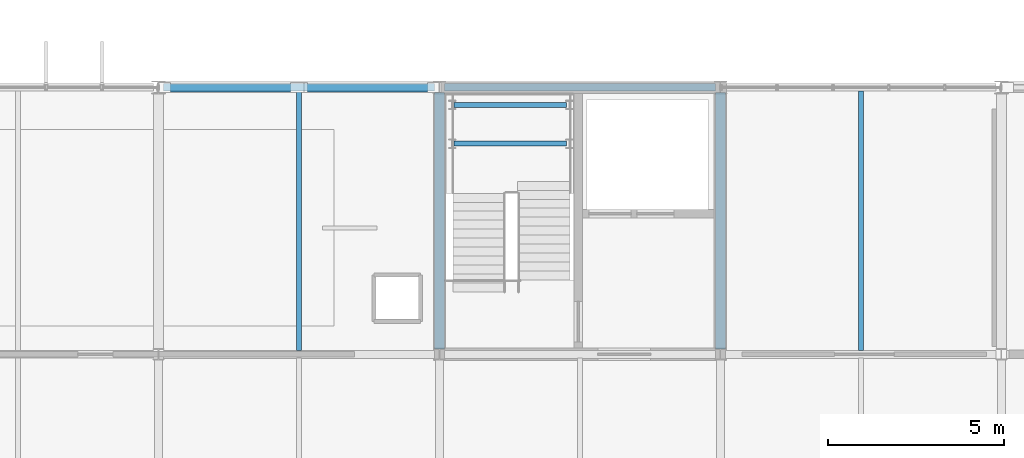
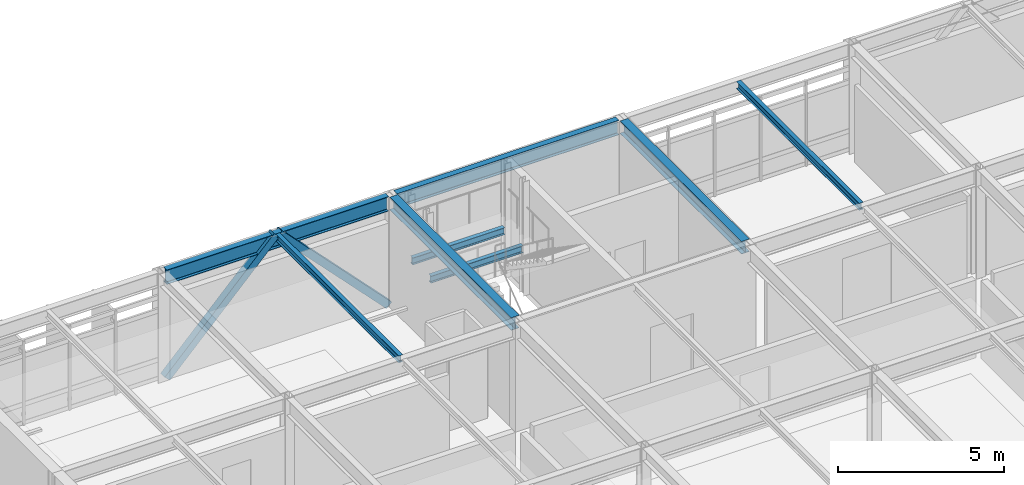
# One storey, part 25 of 85: 8 beams, 2 members.
"""IFC4 building model written with IfcOpenShell, lengths in metres."""

from ifc_helpers import new_model, si_unit, direction, frame, origin, origin_2d, place, context, subcontext, project, spatial, hollow_rectangle, i_section, extrude, material, material_profile, profile_set, type_object, element, save


model = new_model("IFC4")

# Units and contexts
model_context = context("Model", 3, precision=1e-05, world=origin(), true_north=direction((0.0, 1.0)))
body_context = subcontext(model_context, "Body", "Model", "MODEL_VIEW")
ifc_project = project(units=[si_unit("LENGTHUNIT", "METRE"), si_unit("AREAUNIT", "SQUARE_METRE"), si_unit("VOLUMEUNIT", "CUBIC_METRE"), si_unit("PLANEANGLEUNIT", "RADIAN"), si_unit("MASSUNIT", "GRAM", prefix="KILO")], contexts=[model_context])

# Site, building, storey
site_placement = place(None, origin())
site = spatial("IfcSite", under=ifc_project, at=site_placement, CompositionType="ELEMENT")
building_placement = place(site_placement, origin())
building = spatial("IfcBuilding", under=site, at=building_placement, Name="Zulena Civic Courthouse", CompositionType="ELEMENT")
storey_placement = place(building_placement, frame((0.0, 0.0, 25.199951171875)))
storey = spatial("IfcBuildingStorey", under=building, at=storey_placement, Name="L05", CompositionType="ELEMENT", Elevation=25.199951171875)

# Members
ifc_material_1 = material(Name="Steel ASTM A500 Grade C", Category="steel")
ifc_material_profile_1 = material_profile(ifc_material_1, hollow_rectangle(XDim=0.25390625, YDim=0.25390625, WallThickness=0.01171875, at=origin_2d()), Name="HSS10X10X1/2")
ifc_profile_set_1 = profile_set([ifc_material_profile_1], Name="Steel ASTM A500 Grade C")
member_type = type_object("IfcMemberType", Name="Brace_HSS10", PredefinedType="BRACE", material=ifc_profile_set_1)
for number, where, z_axis, x_axis, name in (
    (1, (12.14990234375, 22.800048828125, 0.010009765625), (0.693300076266, 0.0, 0.720649015992), (0.0, 1.0, 0.0), "brace:V2:L05:0:0"),
    (2, (19.85009765625, 22.800048828125, 0.010009765625), (-0.693300076266, 0.0, 0.720649015992), (0.0, -1.0, 0.0), "brace:V2:L05:0:1"),
):
    element("IfcMember", number, at=place(storey_placement, frame(where, z_axis=z_axis, x_axis=x_axis)), inside=storey, type_object=member_type, Name=name, PredefinedType="BRACE", context=body_context, shape_type="SweptSolid", body=[
        extrude(hollow_rectangle(XDim=0.25390625, YDim=0.25390625, WallThickness=0.01171875, at=origin_2d()), origin(), (0.0, 0.0, 1.0), 5.481201171875),
    ])

# Beams
ifc_material_2 = material(Name="Steel ASTM A992 Grade 50", Category="steel")
ifc_material_profile_2 = material_profile(ifc_material_2, i_section(OverallWidth=0.14599609375, OverallDepth=0.258056640625, WebThickness=0.006103515625, FlangeThickness=0.009033203125, FilletRadius=0.007568359375, at=origin_2d()), Name="W10X22")
ifc_profile_set_2 = profile_set([ifc_material_profile_2], Name="Steel ASTM A992 Grade 50")
beam_type_1 = type_object("IfcBeamType", Name="Joist_W10X22", PredefinedType="JOIST", material=ifc_profile_set_2)
for number, where, z_axis, x_axis, name in (
    (3, (16.0, 15.304931640625, 3.865966796875), (0.0, 1.0, 0.0), (-1.0, 0.0, 0.0), "joist:V2:L05:16.00:15.2_22.8"),
    (4, (32.0, 15.304931640625, 3.865966796875), (0.0, 1.0, 0.0), (-1.0, 0.0, 0.0), "joist:V2:L05:32.00:15.2_22.8"),
):
    element("IfcBeam", number, at=place(storey_placement, frame(where, z_axis=z_axis, x_axis=x_axis)), inside=storey, type_object=beam_type_1, Name=name, PredefinedType="JOIST", context=body_context, shape_type="SweptSolid", body=[
        extrude(i_section(OverallWidth=0.14599609375, OverallDepth=0.258056640625, WebThickness=0.006103515625, FlangeThickness=0.009033203125, FilletRadius=0.007568359375, at=origin_2d()), origin(), (0.0, 0.0, 1.0), 7.39013671875),
    ])
for number, where, z_axis, x_axis, name in (
    (5, (20.419921875, 21.199951171875, 1.691162109375), (1.0, 0.0, 0.0), (0.0, 1.0, 0.0), "beam:lnd:K2A:L05:0"),
    (6, (20.419921875, 22.300048828125, 1.691162109375), (1.0, 0.0, 0.0), (0.0, 1.0, 0.0), "beam:lnd:K2A:L05:1"),
):
    element("IfcBeam", number, at=place(storey_placement, frame(where, z_axis=z_axis, x_axis=x_axis)), inside=storey, type_object=beam_type_1, Name=name, PredefinedType="JOIST", context=body_context, shape_type="SweptSolid", body=[
        extrude(i_section(OverallWidth=0.14599609375, OverallDepth=0.258056640625, WebThickness=0.006103515625, FlangeThickness=0.009033203125, FilletRadius=0.007568359375, at=origin_2d()), origin(), (0.0, 0.0, 1.0), 3.2001953125),
    ])
ifc_material_profile_3 = material_profile(ifc_material_2, i_section(OverallWidth=0.280029296875, OverallDepth=0.462890625, WebThickness=0.0107421875, FlangeThickness=0.017333984375, FilletRadius=0.01025390625, at=origin_2d()), Name="W18X76")
ifc_profile_set_3 = profile_set([ifc_material_profile_3], Name="Steel ASTM A992 Grade 50")
beam_type_2 = type_object("IfcBeamType", Name="Spandrel_W18X76", PredefinedType="SPANDREL", material=ifc_profile_set_3)
for number, where, z_axis, x_axis, name in (
    (7, (20.0, 15.344970703125, 3.763427734375), (0.0, 1.0, 0.0), (-1.0, 0.0, 0.0), "beam:Y:V2:L05:20.0:15.2_22.8"),
    (8, (28.0, 15.344970703125, 3.763427734375), (0.0, 1.0, 0.0), (-1.0, 0.0, 0.0), "beam:Y:V2:L05:28.0:15.2_22.8"),
):
    element("IfcBeam", number, at=place(storey_placement, frame(where, z_axis=z_axis, x_axis=x_axis)), inside=storey, type_object=beam_type_2, Name=name, PredefinedType="SPANDREL", context=body_context, shape_type="SweptSolid", body=[
        extrude(i_section(OverallWidth=0.280029296875, OverallDepth=0.462890625, WebThickness=0.0107421875, FlangeThickness=0.017333984375, FilletRadius=0.01025390625, at=origin_2d()), origin(), (0.0, 0.0, 1.0), 7.31005859375),
    ])
ifc_material_profile_4 = material_profile(ifc_material_2, i_section(OverallWidth=0.2099609375, OverallDepth=0.537109375, WebThickness=0.010986328125, FlangeThickness=0.017333984375, FilletRadius=0.0126953125, at=origin_2d()), Name="W21X68")
ifc_profile_set_4 = profile_set([ifc_material_profile_4], Name="Steel ASTM A992 Grade 50")
beam_type_3 = type_object("IfcBeamType", Name="Spandrel_W21X68", PredefinedType="SPANDREL", material=ifc_profile_set_4)
for number, where, z_axis, x_axis, name in (
    (9, (12.14501953125, 22.800048828125, 3.7265625), (1.0, 0.0, 0.0), (0.0, 1.0, 0.0), "beam:X:V2:L05:22.8:12.0_20.0"),
    (10, (20.14501953125, 22.800048828125, 3.7265625), (1.0, 0.0, 0.0), (0.0, 1.0, 0.0), "beam:X:V2:L05:22.8:20.0_28.0"),
):
    element("IfcBeam", number, at=place(storey_placement, frame(where, z_axis=z_axis, x_axis=x_axis)), inside=storey, type_object=beam_type_3, Name=name, PredefinedType="SPANDREL", context=body_context, shape_type="SweptSolid", body=[
        extrude(i_section(OverallWidth=0.2099609375, OverallDepth=0.537109375, WebThickness=0.010986328125, FlangeThickness=0.017333984375, FilletRadius=0.0126953125, at=origin_2d()), origin(), (0.0, 0.0, 1.0), 7.7099609375),
    ])

save(model, "model.ifc")
